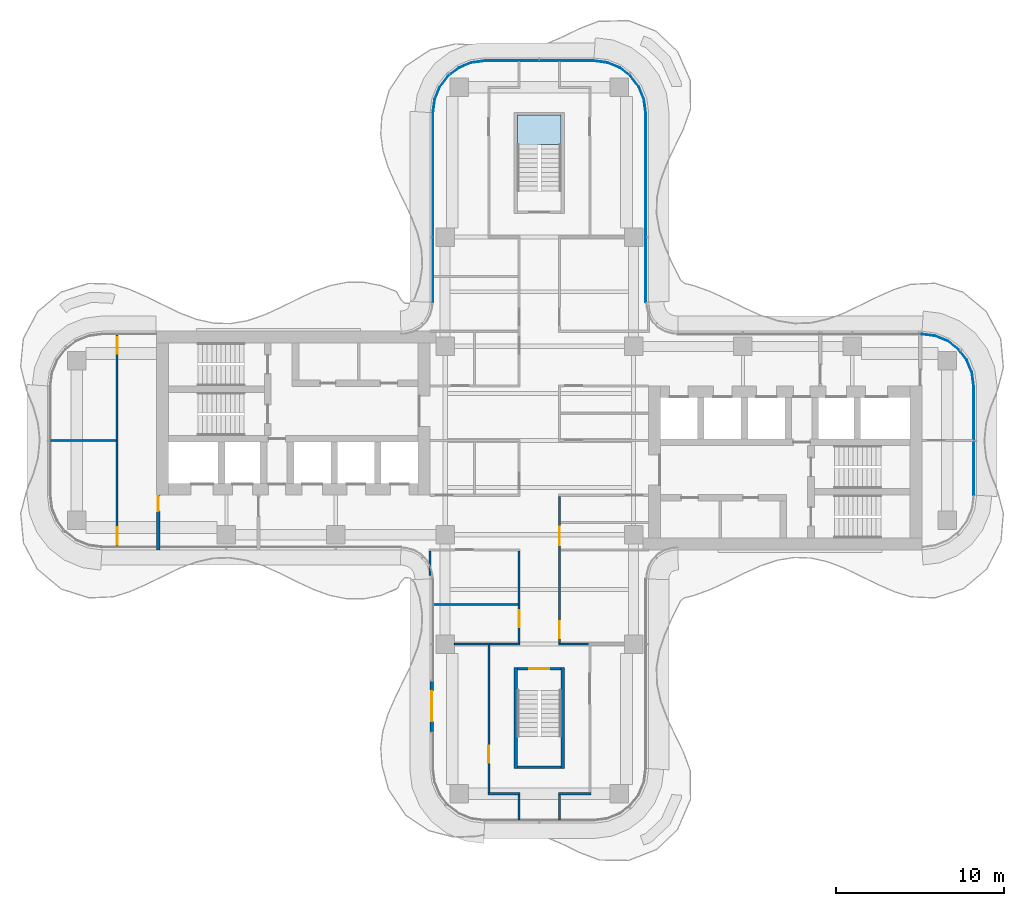
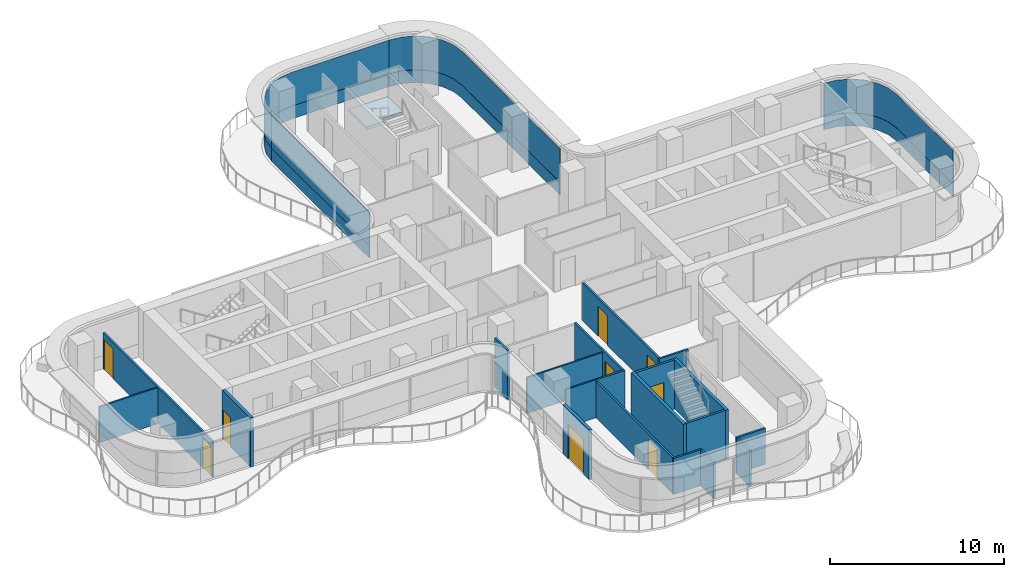
# One storey, part 10 of 16: 20 walls, 9 doors, 8 plates, 1 slab, 9 openings, 5 elements without a shape of their own.
"""IFC4 building model written with IfcOpenShell, lengths in metres."""

from ifc_helpers import new_model, si_unit, direction, frame, frame_2d, origin, place, context, subcontext, project, spatial, polyline, rectangle, outline, extrude, source, transform, mapped, material, layer, layer_set, type_object, element, fill, aggregate, save


model = new_model("IFC4")

# Units and contexts
model_context = context("Model", 3, precision=1e-05, world=origin(), true_north=direction((0.0, 1.0)))
body_context = subcontext(model_context, "Body", "Model", "MODEL_VIEW")
ifc_project = project(units=[si_unit("LENGTHUNIT", "METRE"), si_unit("AREAUNIT", "SQUARE_METRE"), si_unit("VOLUMEUNIT", "CUBIC_METRE"), si_unit("PLANEANGLEUNIT", "RADIAN"), si_unit("MASSUNIT", "GRAM", prefix="KILO")], contexts=[model_context])

# Site, building, storey
site_placement = place(None, origin())
site = spatial("IfcSite", under=ifc_project, at=site_placement, CompositionType="ELEMENT")
building_placement = place(site_placement, origin())
building = spatial("IfcBuilding", under=site, at=building_placement, Name="Trellis Farm Tower", CompositionType="ELEMENT")
storey_placement = place(building_placement, frame((0.0, 0.0, 267.5)))
storey = spatial("IfcBuildingStorey", under=building, at=storey_placement, Name="L60", CompositionType="ELEMENT", Elevation=267.5)

# Curtain wall, plate
ifc_material_1 = material(Name="Aluminium and glass curtain wall", Category="aluminium")
ifc_layer_1 = layer(ifc_material_1, 0.18994140625)
ifc_layer_set_1 = layer_set([ifc_layer_1], Name="RIBBON CURTAIN WALL CW1")
curtain_wall_type = type_object("IfcCurtainWallType", Name="RIBBON CURTAIN WALL CW1", PredefinedType="NOTDEFINED", material=ifc_layer_set_1)
placement_1 = place(storey_placement, origin())
curtain_wall_1 = element("IfcCurtainWall", 1, at=placement_1, inside=storey, type_object=curtain_wall_type, Name="CW1 007", PredefinedType="NOTDEFINED")
ifc_material_2 = material(Name="Clear insulated glass", Category="glass")
ifc_layer_2 = layer(ifc_material_2, 0.0400390625)
ifc_layer_set_2 = layer_set([ifc_layer_2], Name="CW1 GLASS PANEL 40")
plate_type_1 = type_object("IfcPlateType", Name="CW1 GLASS PANEL 40", PredefinedType="CURTAIN_PANEL", material=ifc_layer_set_2)
placement_2 = place(storey_placement, frame((0.0, 0.0, 0.89990234375)))
plate_1 = element("IfcPlate", 2, at=placement_2, type_object=plate_type_1, Name="PL1 007", PredefinedType="CURTAIN_PANEL", context=body_context, shape_type="SweptSolid", body=[
    extrude(outline(polyline([(25.85009765625, -3.240234375), (25.85009765625, 3.240234375), (25.7431640625, 4.052001953125), (25.43359375, 4.79931640625), (24.941162109375, 5.441162109375), (24.29931640625, 5.93359375), (23.552001953125, 6.2431640625), (22.740234375, 6.35009765625), (22.737548828125, 6.31005859375), (23.54150390625, 6.2041015625), (24.279296875, 5.898681640625), (24.91259765625, 5.41259765625), (25.398681640625, 4.779296875), (25.7041015625, 4.04150390625), (25.81005859375, 3.237548828125), (25.81005859375, -3.237548828125), (25.85009765625, -3.240234375)])), origin(), (0.0, 0.0, 1.0), 2.3701171875),
])

# Stair, slab
ifc_material_3 = material(Name="Concrete C50/60", Category="concrete")
stair_type = type_object("IfcStairType", Name="CORE EXIT STAIR 22 RISERS 177 MM", PredefinedType="HALF_TURN_STAIR", material=ifc_material_3)
stair = element("IfcStair", 3, at=placement_1, inside=storey, type_object=stair_type, Name="Exit stair N", PredefinedType="HALF_TURN_STAIR")
ifc_layer_3 = layer(ifc_material_3, 0.18994140625)
ifc_layer_set_3 = layer_set([ifc_layer_3], Name="CORE STAIR LANDING 190 CONCRETE C50/60")
slab_type = type_object("IfcSlabType", Name="CORE STAIR LANDING 190 CONCRETE C50/60", PredefinedType="LANDING", material=ifc_layer_set_3)
shared_shape_1 = source(origin(), body_context, "Body", "SweptSolid", [
    extrude(outline(polyline([(-0.10009765625, 17.27197265625), (-1.300048828125, 17.27197265625), (-1.300048828125, 17.60009765625), (-1.300048828125, 19.35009765625), (1.300048828125, 19.35009765625), (1.300048828125, 17.60009765625), (1.300048828125, 17.590087890625), (0.10009765625, 17.590087890625), (0.10009765625, 17.60009765625), (-0.10009765625, 17.60009765625), (-0.10009765625, 17.27197265625)])), origin(), (0.0, 0.0, 1.0), 0.18994140625),
])
slab_placement = place(storey_placement, frame((0.0, 0.0, 1.760009765625)))
slab = element("IfcSlab", 4, at=slab_placement, type_object=slab_type, Name="STN landing 1", PredefinedType="LANDING", context=body_context, shape_type="MappedRepresentation", body=[
    mapped(shared_shape_1, transform((0.0, 0.0, 0.0))),
])
aggregate(stair, [slab])

# Curtain wall, plate
curtain_wall_2 = element("IfcCurtainWall", 5, at=placement_1, inside=storey, type_object=curtain_wall_type, Name="CW1 009", PredefinedType="NOTDEFINED")
ifc_material_4 = material(Name="Sandstone faced insulated panel", Category="masonry")
ifc_layer_4 = layer(ifc_material_4, 0.050048828125)
ifc_layer_set_4 = layer_set([ifc_layer_4], Name="CW1 STONE SPANDREL PANEL 50")
plate_type_2 = type_object("IfcPlateType", Name="CW1 STONE SPANDREL PANEL 50", PredefinedType="CURTAIN_PANEL", material=ifc_layer_set_4)
shared_shape_2 = source(origin(), body_context, "Body", "SweptSolid", [
    extrude(outline(polyline([(6.35009765625, 8.2265625), (6.35009765625, 19.490234375), (6.2431640625, 20.302001953125), (5.93359375, 21.04931640625), (5.441162109375, 21.691162109375), (4.79931640625, 22.18359375), (4.052001953125, 22.4931640625), (3.240234375, 22.60009765625), (3.23681640625, 22.550048828125), (4.0390625, 22.4443359375), (4.774169921875, 22.139892578125), (5.405517578125, 21.655517578125), (5.889892578125, 21.024169921875), (6.1943359375, 20.2890625), (6.300048828125, 19.48681640625), (6.300048828125, 8.224853515625), (6.35009765625, 8.2265625)])), origin(), (0.0, 0.0, 1.0), 0.89990234375),
])
plate_2 = element("IfcPlate", 6, at=placement_1, type_object=plate_type_2, Name="PS1 009", PredefinedType="CURTAIN_PANEL", context=body_context, shape_type="MappedRepresentation", body=[
    mapped(shared_shape_2, transform((0.0, 0.0, 0.0))),
])

curtain_wall_3 = element("IfcCurtainWall", 7, at=placement_1, inside=storey, type_object=curtain_wall_type, Name="CW1 010", PredefinedType="NOTDEFINED")
shared_shape_3 = source(origin(), body_context, "Body", "SweptSolid", [
    extrude(outline(polyline([(3.240234375, 22.60009765625), (-3.240234375, 22.60009765625), (-4.052001953125, 22.4931640625), (-4.79931640625, 22.18359375), (-5.441162109375, 21.691162109375), (-5.93359375, 21.04931640625), (-6.2431640625, 20.302001953125), (-6.35009765625, 19.490234375), (-6.300048828125, 19.48681640625), (-6.1943359375, 20.2890625), (-5.889892578125, 21.024169921875), (-5.405517578125, 21.655517578125), (-4.774169921875, 22.139892578125), (-4.0390625, 22.4443359375), (-3.23681640625, 22.550048828125), (3.23681640625, 22.550048828125), (3.240234375, 22.60009765625)])), origin(), (0.0, 0.0, 1.0), 0.89990234375),
])
plate_3 = element("IfcPlate", 8, at=placement_1, type_object=plate_type_2, Name="PS1 010", PredefinedType="CURTAIN_PANEL", context=body_context, shape_type="MappedRepresentation", body=[
    mapped(shared_shape_3, transform((0.0, 0.0, 0.0))),
])

curtain_wall_4 = element("IfcCurtainWall", 9, at=placement_1, inside=storey, type_object=curtain_wall_type, Name="CW1 011", PredefinedType="NOTDEFINED")
shared_shape_4 = source(origin(), body_context, "Body", "SweptSolid", [
    extrude(outline(polyline([(-6.35009765625, 19.490234375), (-6.35009765625, 8.2265625), (-6.300048828125, 8.224853515625), (-6.300048828125, 19.48681640625), (-6.35009765625, 19.490234375)])), origin(), (0.0, 0.0, 1.0), 0.89990234375),
])
plate_4 = element("IfcPlate", 10, at=placement_1, type_object=plate_type_2, Name="PS1 011", PredefinedType="CURTAIN_PANEL", context=body_context, shape_type="MappedRepresentation", body=[
    mapped(shared_shape_4, transform((0.0, 0.0, 0.0))),
])

# Plate
shared_shape_5 = source(origin(), body_context, "Body", "SweptSolid", [
    extrude(outline(polyline([(25.85009765625, -3.240234375), (25.85009765625, 3.240234375), (25.7431640625, 4.052001953125), (25.43359375, 4.79931640625), (24.941162109375, 5.441162109375), (24.29931640625, 5.93359375), (23.552001953125, 6.2431640625), (22.740234375, 6.35009765625), (22.73681640625, 6.300048828125), (23.5390625, 6.1943359375), (24.274169921875, 5.889892578125), (24.905517578125, 5.405517578125), (25.389892578125, 4.774169921875), (25.6943359375, 4.0390625), (25.800048828125, 3.23681640625), (25.800048828125, -3.23681640625), (25.85009765625, -3.240234375)])), origin(), (0.0, 0.0, 1.0), 0.89990234375),
])
plate_5 = element("IfcPlate", 11, at=placement_1, type_object=plate_type_2, Name="PS1 007", PredefinedType="CURTAIN_PANEL", context=body_context, shape_type="MappedRepresentation", body=[
    mapped(shared_shape_5, transform((0.0, 0.0, 0.0))),
])

aggregate(curtain_wall_1, [plate_1, plate_5])

shared_shape_6 = source(origin(), body_context, "Body", "SweptSolid", [
    extrude(outline(polyline([(6.35009765625, 8.2265625), (6.35009765625, 19.490234375), (6.2431640625, 20.302001953125), (5.93359375, 21.04931640625), (5.441162109375, 21.691162109375), (4.79931640625, 22.18359375), (4.052001953125, 22.4931640625), (3.240234375, 22.60009765625), (3.237548828125, 22.56005859375), (4.04150390625, 22.4541015625), (4.779296875, 22.148681640625), (5.41259765625, 21.66259765625), (5.898681640625, 21.029296875), (6.2041015625, 20.29150390625), (6.31005859375, 19.487548828125), (6.31005859375, 8.22509765625), (6.35009765625, 8.2265625)])), origin(), (0.0, 0.0, 1.0), 2.3701171875),
])
plate_6 = element("IfcPlate", 12, at=placement_2, type_object=plate_type_1, Name="PL1 009", PredefinedType="CURTAIN_PANEL", context=body_context, shape_type="MappedRepresentation", body=[
    mapped(shared_shape_6, transform((0.0, 0.0, 0.0))),
])

aggregate(curtain_wall_2, [plate_6, plate_2])

shared_shape_7 = source(origin(), body_context, "Body", "SweptSolid", [
    extrude(outline(polyline([(3.240234375, 22.60009765625), (-3.240234375, 22.60009765625), (-4.052001953125, 22.4931640625), (-4.79931640625, 22.18359375), (-5.441162109375, 21.691162109375), (-5.93359375, 21.04931640625), (-6.2431640625, 20.302001953125), (-6.35009765625, 19.490234375), (-6.31005859375, 19.487548828125), (-6.2041015625, 20.29150390625), (-5.898681640625, 21.029296875), (-5.41259765625, 21.66259765625), (-4.779296875, 22.148681640625), (-4.04150390625, 22.4541015625), (-3.237548828125, 22.56005859375), (3.237548828125, 22.56005859375), (3.240234375, 22.60009765625)])), origin(), (0.0, 0.0, 1.0), 2.3701171875),
])
plate_7 = element("IfcPlate", 13, at=placement_2, type_object=plate_type_1, Name="PL1 010", PredefinedType="CURTAIN_PANEL", context=body_context, shape_type="MappedRepresentation", body=[
    mapped(shared_shape_7, transform((0.0, 0.0, 0.0))),
])

aggregate(curtain_wall_3, [plate_7, plate_3])

shared_shape_8 = source(origin(), body_context, "Body", "SweptSolid", [
    extrude(outline(polyline([(-6.35009765625, 19.490234375), (-6.35009765625, 8.2265625), (-6.31005859375, 8.22509765625), (-6.31005859375, 19.487548828125), (-6.35009765625, 19.490234375)])), origin(), (0.0, 0.0, 1.0), 2.3701171875),
])
plate_8 = element("IfcPlate", 14, at=placement_2, type_object=plate_type_1, Name="PL1 011", PredefinedType="CURTAIN_PANEL", context=body_context, shape_type="MappedRepresentation", body=[
    mapped(shared_shape_8, transform((0.0, 0.0, 0.0))),
])

aggregate(curtain_wall_4, [plate_8, plate_4])

# Wall, opening, door
ifc_material_5 = material(Name="Masonry blockwork", Category="masonry")
ifc_layer_5 = layer(ifc_material_5, 0.199951171875)
ifc_layer_set_5 = layer_set([ifc_layer_5], Name="FIRE LOBBY PARTITION 200 BLOCKWORK")
wall_type_1 = type_object("IfcWallType", Name="FIRE LOBBY PARTITION 200 BLOCKWORK", PredefinedType="PARTITIONING", material=ifc_layer_set_5)
shared_shape_9 = source(origin(), body_context, "Body", "SweptSolid", [
    extrude(rectangle(XDim=3.25, YDim=0.199951171875, at=frame_2d((1.625, 0.0))), origin(), (0.0, 0.0, 1.0), 3.449951171875),
])
wall_1_placement = place(storey_placement, frame((-22.64990234375, -3.25, 0.0), z_axis=(0.0, 0.0, 1.0), x_axis=(0.0, -1.0, 0.0)))
wall_1 = element("IfcWall", 15, at=wall_1_placement, inside=storey, type_object=wall_type_1, Name="Fire-fighting lobby partition", PredefinedType="PARTITIONING", context=body_context, shape_type="MappedRepresentation", body=[
    mapped(shared_shape_9, transform((0.0, 0.0, 0.0))),
])
shared_shape_10 = source(origin(), body_context, "Body", "SweptSolid", [
    extrude(rectangle(XDim=0.89990234375, YDim=2.10009765625, at=frame_2d((0.449951171875, 1.050048828125))), frame((0.0, 0.110107421875, 0.0), z_axis=(0.0, -1.0, 0.0), x_axis=(1.0, 0.0, 0.0)), (0.0, 0.0, 1.0), 0.22021484375),
])
opening_1_placement = place(wall_1_placement, frame((0.050048828125, 0.0, 0.0)))
opening_1 = element("IfcOpeningElement", 16, at=opening_1_placement, cuts=wall_1, Name="Opening DC94", PredefinedType="OPENING", context=body_context, shape_type="MappedRepresentation", body=[
    mapped(shared_shape_10, transform((0.0, 0.0, 0.0))),
])
ifc_material_6 = material(Name="Steel", Category="steel")
door_type_1 = type_object("IfcDoorType", Name="CORE FIRE DOOR 900 X 2100", OperationType="NOTDEFINED", PredefinedType="DOOR", material=ifc_material_6)
shared_shape_11 = source(origin(), body_context, "Body", "SweptSolid", [
    extrude(rectangle(XDim=0.89990234375, YDim=2.10009765625, at=frame_2d((0.449951171875, 1.050048828125))), frame((0.0, 0.02490234375, 0.0), z_axis=(0.0, -1.0, 0.0), x_axis=(1.0, 0.0, 0.0)), (0.0, 0.0, 1.0), 0.050048828125),
])
door_1_placement = place(opening_1_placement, origin())
door_1 = element("IfcDoor", 17, at=door_1_placement, inside=storey, type_object=door_type_1, Name="Core door", OperationType="SINGLE_SWING_RIGHT", OverallHeight=2.10009765625, OverallWidth=0.89990234375, PredefinedType="DOOR", context=body_context, shape_type="MappedRepresentation", body=[
    mapped(shared_shape_11, transform((0.0, 0.0, 0.0))),
])
fill(opening_1, door_1)

# Walls
ifc_material_7 = material(Name="Concrete C60/75", Category="concrete")
ifc_layer_6 = layer(ifc_material_7, 0.199951171875)
ifc_layer_set_6 = layer_set([ifc_layer_6], Name="CORE STAIR ENCLOSURE WALL 200 CONCRETE C60/75")
wall_type_2 = type_object("IfcWallType", Name="CORE STAIR ENCLOSURE WALL 200 CONCRETE C60/75", PredefinedType="SHEAR", material=ifc_layer_set_6)
shared_shape_12 = source(origin(), body_context, "Body", "SweptSolid", [
    extrude(rectangle(XDim=6.0, YDim=0.199951171875, at=frame_2d((3.0, 0.0))), origin(), (0.0, 0.0, 1.0), 3.449951171875),
])
for number, where, z_axis, x_axis, name in (
    (18, (1.39990234375, -13.5, 0.0), (0.0, 0.0, 1.0), (0.0, -1.0, 0.0), "Stair enclosure wall"),
    (19, (-1.39990234375, -13.5, 0.0), (0.0, 0.0, 1.0), (0.0, -1.0, 0.0), "Stair enclosure wall"),
):
    element("IfcWall", number, at=place(storey_placement, frame(where, z_axis=z_axis, x_axis=x_axis)), inside=storey, type_object=wall_type_2, Name=name, PredefinedType="SHEAR", context=body_context, shape_type="MappedRepresentation", body=[
        mapped(shared_shape_12, transform((0.0, 0.0, 0.0))),
    ])

# Wall, opening, door
ifc_layer_7 = layer(ifc_material_7, 0.14990234375)
ifc_layer_set_7 = layer_set([ifc_layer_7], Name="CORE STAIR ENCLOSURE WALL 150 CONCRETE C60/75")
wall_type_3 = type_object("IfcWallType", Name="CORE STAIR ENCLOSURE WALL 150 CONCRETE C60/75", PredefinedType="SHEAR", material=ifc_layer_set_7)
shared_shape_13 = source(origin(), body_context, "Body", "SweptSolid", [
    extrude(rectangle(XDim=2.60009765625, YDim=0.14990234375, at=frame_2d((1.300048828125, 0.0))), origin(), (0.0, 0.0, 1.0), 3.449951171875),
])
wall_2_placement = place(storey_placement, frame((1.300048828125, -13.574951171875, 0.0), z_axis=(0.0, 0.0, 1.0), x_axis=(-1.0, 0.0, 0.0)))
wall_2 = element("IfcWall", 20, at=wall_2_placement, inside=storey, type_object=wall_type_3, Name="Stair enclosure wall", PredefinedType="SHEAR", context=body_context, shape_type="MappedRepresentation", body=[
    mapped(shared_shape_13, transform((0.0, 0.0, 0.0))),
])
shared_shape_14 = source(origin(), body_context, "Body", "SweptSolid", [
    extrude(rectangle(XDim=1.199951171875, YDim=2.10009765625, at=frame_2d((0.60009765625, 1.050048828125))), frame((0.0, 0.0849609375, 0.0), z_axis=(0.0, -1.0, 0.0), x_axis=(1.0, 0.0, 0.0)), (0.0, 0.0, 1.0), 0.169921875),
])
opening_2_placement = place(wall_2_placement, frame((0.699951171875, 0.0, 0.0)))
opening_2 = element("IfcOpeningElement", 21, at=opening_2_placement, cuts=wall_2, Name="Opening DC174", PredefinedType="OPENING", context=body_context, shape_type="MappedRepresentation", body=[
    mapped(shared_shape_14, transform((0.0, 0.0, 0.0))),
])
door_type_2 = type_object("IfcDoorType", Name="CORE FIRE DOOR 1200 X 2100", OperationType="NOTDEFINED", PredefinedType="DOOR", material=ifc_material_6)
shared_shape_15 = source(origin(), body_context, "Body", "SweptSolid", [
    extrude(rectangle(XDim=1.199951171875, YDim=2.10009765625, at=frame_2d((0.60009765625, 1.050048828125))), frame((0.0, 0.02490234375, 0.0), z_axis=(0.0, -1.0, 0.0), x_axis=(1.0, 0.0, 0.0)), (0.0, 0.0, 1.0), 0.050048828125),
])
door_2_placement = place(opening_2_placement, origin())
door_2 = element("IfcDoor", 22, at=door_2_placement, inside=storey, type_object=door_type_2, Name="Core door", OperationType="SINGLE_SWING_RIGHT", OverallHeight=2.10009765625, OverallWidth=1.199951171875, PredefinedType="DOOR", context=body_context, shape_type="MappedRepresentation", body=[
    mapped(shared_shape_15, transform((0.0, 0.0, 0.0))),
])
fill(opening_2, door_2)

# Wall
wall_3_placement = place(storey_placement, frame((1.300048828125, -19.425048828125, 0.0), z_axis=(0.0, 0.0, 1.0), x_axis=(-1.0, 0.0, 0.0)))
element("IfcWall", 23, at=wall_3_placement, inside=storey, type_object=wall_type_3, Name="Stair enclosure wall", PredefinedType="SHEAR", context=body_context, shape_type="MappedRepresentation", body=[
    mapped(shared_shape_13, transform((0.0, 0.0, 0.0))),
])

# Wall, opening, door
ifc_material_8 = material(Name="Sandstone faced insulated wall", Category="masonry")
ifc_layer_8 = layer(ifc_material_8, 0.199951171875)
ifc_layer_set_8 = layer_set([ifc_layer_8], Name="EXTERNAL INFILL WALL 200")
wall_type_4 = type_object("IfcWallType", Name="EXTERNAL INFILL WALL 200", PredefinedType="SOLIDWALL", material=ifc_layer_set_8)
shared_shape_16 = source(origin(), body_context, "Body", "SweptSolid", [
    extrude(rectangle(XDim=3.0, YDim=0.199951171875, at=frame_2d((1.5, 0.0))), origin(), (0.0, 0.0, 1.0), 3.449951171875),
])
wall_4_placement = place(storey_placement, frame((-6.39990234375, -14.300048828125, 0.0), z_axis=(0.0, 0.0, 1.0), x_axis=(0.0, -1.0, 0.0)))
wall_4 = element("IfcWall", 24, at=wall_4_placement, inside=storey, type_object=wall_type_4, Name="EW1 01", PredefinedType="SOLIDWALL", context=body_context, shape_type="MappedRepresentation", body=[
    mapped(shared_shape_16, transform((0.0, 0.0, 0.0))),
])
shared_shape_17 = source(origin(), body_context, "Body", "SweptSolid", [
    extrude(rectangle(XDim=1.800048828125, YDim=2.39990234375, at=frame_2d((0.89990234375, 1.199951171875))), frame((0.0, 0.110107421875, 0.0), z_axis=(0.0, -1.0, 0.0), x_axis=(1.0, 0.0, 0.0)), (0.0, 0.0, 1.0), 0.22021484375),
])
opening_3_placement = place(wall_4_placement, frame((0.60009765625, 0.0, 0.0)))
opening_3 = element("IfcOpeningElement", 25, at=opening_3_placement, cuts=wall_4, Name="Opening ED1", PredefinedType="OPENING", context=body_context, shape_type="MappedRepresentation", body=[
    mapped(shared_shape_17, transform((0.0, 0.0, 0.0))),
])
ifc_material_9 = material(Name="Aluminium framed glazed door", Category="aluminium")
door_type_3 = type_object("IfcDoorType", Name="BALCONY DOOR 1800x2400", OperationType="DOUBLE_DOOR_SINGLE_SWING", PredefinedType="DOOR", material=ifc_material_9)
shared_shape_18 = source(origin(), body_context, "Body", "SweptSolid", [
    extrude(rectangle(XDim=1.800048828125, YDim=2.39990234375, at=frame_2d((0.89990234375, 1.199951171875))), frame((0.0, 0.02490234375, 0.0), z_axis=(0.0, -1.0, 0.0), x_axis=(1.0, 0.0, 0.0)), (0.0, 0.0, 1.0), 0.050048828125),
])
door_3_placement = place(opening_3_placement, origin())
door_3 = element("IfcDoor", 26, at=door_3_placement, inside=storey, type_object=door_type_3, Name="Balcony door", OperationType="DOUBLE_DOOR_SINGLE_SWING", OverallHeight=2.39990234375, OverallWidth=1.800048828125, PredefinedType="DOOR", context=body_context, shape_type="MappedRepresentation", body=[
    mapped(shared_shape_18, transform((0.0, 0.0, 0.0))),
])
fill(opening_3, door_3)

ifc_material_10 = material(Name="Plasterboard on steel studs, mineral wool", Category="steel")
ifc_layer_9 = layer(ifc_material_10, 0.125)
ifc_layer_set_9 = layer_set([ifc_layer_9], Name="PARTITION 125 STUD EI 60")
wall_type_5 = type_object("IfcWallType", Name="PARTITION 125 STUD EI 60", PredefinedType="PARTITIONING", material=ifc_layer_set_9)
shared_shape_19 = source(origin(), body_context, "Body", "SweptSolid", [
    extrude(rectangle(XDim=5.47509765625, YDim=0.125, at=frame_2d((2.737548828125, 0.0))), origin(), (0.0, 0.0, 1.0), 2.667724609375),
])
wall_5_placement = place(storey_placement, frame((-1.199951171875, -6.5625, 0.0), z_axis=(0.0, 0.0, 1.0), x_axis=(0.0, -1.0, 0.0)))
wall_5 = element("IfcWall", 27, at=wall_5_placement, inside=storey, type_object=wall_type_5, Name="Partition PW1", PredefinedType="PARTITIONING", context=body_context, shape_type="MappedRepresentation", body=[
    mapped(shared_shape_19, transform((0.0, 0.0, 0.0))),
])
shared_shape_20 = source(origin(), body_context, "Body", "SweptSolid", [
    extrude(rectangle(XDim=1.0, YDim=2.10009765625, at=frame_2d((0.5, 1.050048828125))), frame((0.0, 0.072509765625, 0.0), z_axis=(0.0, -1.0, 0.0), x_axis=(1.0, 0.0, 0.0)), (0.0, 0.0, 1.0), 0.14501953125),
])
opening_4_placement = place(wall_5_placement, frame((3.53759765625, 0.0, 0.0)))
opening_4 = element("IfcOpeningElement", 28, at=opening_4_placement, cuts=wall_5, Name="Opening D103", PredefinedType="OPENING", context=body_context, shape_type="MappedRepresentation", body=[
    mapped(shared_shape_20, transform((0.0, 0.0, 0.0))),
])
ifc_material_11 = material(Name="Fire-rated timber door leaf in a hollow metal frame", Category="wood")
door_type_4 = type_object("IfcDoorType", Name="DOOR 1000x2100 FD30S", OperationType="NOTDEFINED", PredefinedType="DOOR", material=ifc_material_11)
shared_shape_21 = source(origin(), body_context, "Body", "SweptSolid", [
    extrude(rectangle(XDim=1.0, YDim=2.10009765625, at=frame_2d((0.5, 1.050048828125))), frame((0.0, 0.02490234375, 0.0), z_axis=(0.0, -1.0, 0.0), x_axis=(1.0, 0.0, 0.0)), (0.0, 0.0, 1.0), 0.050048828125),
])
door_4_placement = place(opening_4_placement, origin())
door_4 = element("IfcDoor", 29, at=door_4_placement, inside=storey, type_object=door_type_4, Name="Door D103", OperationType="SINGLE_SWING_LEFT", OverallHeight=2.10009765625, OverallWidth=1.0, PredefinedType="DOOR", context=body_context, shape_type="MappedRepresentation", body=[
    mapped(shared_shape_21, transform((0.0, 0.0, 0.0))),
])
fill(opening_4, door_4)

# Wall
shared_shape_22 = source(origin(), body_context, "Body", "SweptSolid", [
    extrude(rectangle(XDim=1.468994140625, YDim=0.125, at=frame_2d((0.734375, 0.0))), origin(), (0.0, 0.0, 1.0), 3.449951171875),
])
wall_6_placement = place(storey_placement, frame((-6.5, -6.5625, 0.0), z_axis=(0.0, 0.0, 1.0), x_axis=(0.0, -1.0, 0.0)))
element("IfcWall", 30, at=wall_6_placement, inside=storey, type_object=wall_type_5, Name="Partition PW1", PredefinedType="PARTITIONING", context=body_context, shape_type="MappedRepresentation", body=[
    mapped(shared_shape_22, transform((0.0, 0.0, 0.0))),
])

# Wall, openings, doors
shared_shape_23 = source(origin(), body_context, "Body", "SweptSolid", [
    extrude(rectangle(XDim=12.60009765625, YDim=0.125, at=frame_2d((6.300048828125, 0.0))), origin(), (0.0, 0.0, 1.0), 2.530029296875),
])
wall_7_placement = place(storey_placement, frame((-25.10009765625, -6.300048828125, 0.0), z_axis=(0.0, 0.0, 1.0), x_axis=(0.0, 1.0, 0.0)))
wall_7 = element("IfcWall", 31, at=wall_7_placement, inside=storey, type_object=wall_type_5, Name="Partition PW1", PredefinedType="PARTITIONING", context=body_context, shape_type="MappedRepresentation", body=[
    mapped(shared_shape_23, transform((0.0, 0.0, 0.0))),
])
opening_5_placement = place(wall_7_placement, frame((0.14990234375, 0.0, 0.0)))
opening_5 = element("IfcOpeningElement", 32, at=opening_5_placement, cuts=wall_7, Name="Opening D105", PredefinedType="OPENING", context=body_context, shape_type="MappedRepresentation", body=[
    mapped(shared_shape_20, transform((0.0, 0.0, 0.0))),
])
opening_6_placement = place(wall_7_placement, frame((11.449951171875, 0.0, 0.0)))
opening_6 = element("IfcOpeningElement", 33, at=opening_6_placement, cuts=wall_7, Name="Opening D113", PredefinedType="OPENING", context=body_context, shape_type="MappedRepresentation", body=[
    mapped(shared_shape_20, transform((0.0, 0.0, 0.0))),
])
door_5_placement = place(opening_5_placement, origin())
door_5 = element("IfcDoor", 34, at=door_5_placement, inside=storey, type_object=door_type_4, Name="Door D105", OperationType="SINGLE_SWING_LEFT", OverallHeight=2.10009765625, OverallWidth=1.0, PredefinedType="DOOR", context=body_context, shape_type="MappedRepresentation", body=[
    mapped(shared_shape_21, transform((0.0, 0.0, 0.0))),
])
fill(opening_5, door_5)
door_6_placement = place(opening_6_placement, origin())
door_6 = element("IfcDoor", 35, at=door_6_placement, inside=storey, type_object=door_type_4, Name="Door D113", OperationType="SINGLE_SWING_RIGHT", OverallHeight=2.10009765625, OverallWidth=1.0, PredefinedType="DOOR", context=body_context, shape_type="MappedRepresentation", body=[
    mapped(shared_shape_21, transform((0.0, 0.0, 0.0))),
])
fill(opening_6, door_6)

# Wall, opening, door
shared_shape_24 = source(origin(), body_context, "Body", "SweptSolid", [
    extrude(rectangle(XDim=8.78759765625, YDim=0.125, at=frame_2d((4.393798828125, 0.0))), origin(), (0.0, 0.0, 1.0), 2.530029296875),
])
wall_8_placement = place(storey_placement, frame((-3.0, -20.9375, 0.0), z_axis=(0.0, 0.0, 1.0), x_axis=(0.0, 1.0, 0.0)))
wall_8 = element("IfcWall", 36, at=wall_8_placement, inside=storey, type_object=wall_type_5, Name="Partition PW1", PredefinedType="PARTITIONING", context=body_context, shape_type="MappedRepresentation", body=[
    mapped(shared_shape_24, transform((0.0, 0.0, 0.0))),
])
opening_7_placement = place(wall_8_placement, frame((1.78759765625, 0.0, 0.0)))
opening_7 = element("IfcOpeningElement", 37, at=opening_7_placement, cuts=wall_8, Name="Opening D101", PredefinedType="OPENING", context=body_context, shape_type="MappedRepresentation", body=[
    mapped(shared_shape_20, transform((0.0, 0.0, 0.0))),
])
door_7_placement = place(opening_7_placement, origin())
door_7 = element("IfcDoor", 38, at=door_7_placement, inside=storey, type_object=door_type_4, Name="Door D101", OperationType="SINGLE_SWING_LEFT", OverallHeight=2.10009765625, OverallWidth=1.0, PredefinedType="DOOR", context=body_context, shape_type="MappedRepresentation", body=[
    mapped(shared_shape_21, transform((0.0, 0.0, 0.0))),
])
fill(opening_7, door_7)

# Walls
shared_shape_25 = source(origin(), body_context, "Body", "SweptSolid", [
    extrude(rectangle(XDim=1.487548828125, YDim=0.125, at=frame_2d((0.74365234375, 0.0))), origin(), (0.0, 0.0, 1.0), 2.530029296875),
])
for number, where, z_axis, x_axis, name in (
    (39, (-1.199951171875, -21.0625, 0.0), (0.0, 0.0, 1.0), (0.0, -1.0, 0.0), "Partition PW1"),
    (40, (1.199951171875, -21.0625, 0.0), (0.0, 0.0, 1.0), (0.0, -1.0, 0.0), "Partition PW1"),
):
    element("IfcWall", number, at=place(storey_placement, frame(where, z_axis=z_axis, x_axis=x_axis)), inside=storey, type_object=wall_type_5, Name=name, PredefinedType="PARTITIONING", context=body_context, shape_type="MappedRepresentation", body=[
        mapped(shared_shape_25, transform((0.0, 0.0, 0.0))),
    ])

# Wall, openings, doors
shared_shape_26 = source(origin(), body_context, "Body", "SweptSolid", [
    extrude(rectangle(XDim=8.72509765625, YDim=0.125, at=frame_2d((4.362548828125, 0.0))), origin(), (0.0, 0.0, 1.0), 2.667724609375),
])
wall_9_placement = place(storey_placement, frame((1.199951171875, -3.3125, 0.0), z_axis=(0.0, 0.0, 1.0), x_axis=(0.0, -1.0, 0.0)))
wall_9 = element("IfcWall", 41, at=wall_9_placement, inside=storey, type_object=wall_type_5, Name="Partition PW1", PredefinedType="PARTITIONING", context=body_context, shape_type="MappedRepresentation", body=[
    mapped(shared_shape_26, transform((0.0, 0.0, 0.0))),
])
opening_8_placement = place(wall_9_placement, frame((7.4375, 0.0, 0.0)))
opening_8 = element("IfcOpeningElement", 42, at=opening_8_placement, cuts=wall_9, Name="Opening D102", PredefinedType="OPENING", context=body_context, shape_type="MappedRepresentation", body=[
    mapped(shared_shape_20, transform((0.0, 0.0, 0.0))),
])
shared_shape_27 = source(origin(), body_context, "Body", "SweptSolid", [
    extrude(rectangle(XDim=1.10009765625, YDim=2.10009765625, at=frame_2d((0.550048828125, 1.050048828125))), frame((0.0, 0.072509765625, 0.0), z_axis=(0.0, -1.0, 0.0), x_axis=(1.0, 0.0, 0.0)), (0.0, 0.0, 1.0), 0.14501953125),
])
opening_9_placement = place(wall_9_placement, frame((1.8125, 0.0, 0.0)))
opening_9 = element("IfcOpeningElement", 43, at=opening_9_placement, cuts=wall_9, Name="Opening D501", PredefinedType="OPENING", context=body_context, shape_type="MappedRepresentation", body=[
    mapped(shared_shape_27, transform((0.0, 0.0, 0.0))),
])
door_type_5 = type_object("IfcDoorType", Name="DOOR 1100x2100 FD30S", OperationType="NOTDEFINED", PredefinedType="DOOR", material=ifc_material_11)
shared_shape_28 = source(origin(), body_context, "Body", "SweptSolid", [
    extrude(rectangle(XDim=1.10009765625, YDim=2.10009765625, at=frame_2d((0.550048828125, 1.050048828125))), frame((0.0, 0.02490234375, 0.0), z_axis=(0.0, -1.0, 0.0), x_axis=(1.0, 0.0, 0.0)), (0.0, 0.0, 1.0), 0.050048828125),
])
door_8_placement = place(opening_9_placement, origin())
door_8 = element("IfcDoor", 44, at=door_8_placement, inside=storey, type_object=door_type_5, Name="Door D501", OperationType="SINGLE_SWING_LEFT", OverallHeight=2.10009765625, OverallWidth=1.10009765625, PredefinedType="DOOR", context=body_context, shape_type="MappedRepresentation", body=[
    mapped(shared_shape_28, transform((0.0, 0.0, 0.0))),
])
fill(opening_9, door_8)
door_9_placement = place(opening_8_placement, origin())
door_9 = element("IfcDoor", 45, at=door_9_placement, inside=storey, type_object=door_type_4, Name="Door D102", OperationType="SINGLE_SWING_RIGHT", OverallHeight=2.10009765625, OverallWidth=1.0, PredefinedType="DOOR", context=body_context, shape_type="MappedRepresentation", body=[
    mapped(shared_shape_21, transform((0.0, 0.0, 0.0))),
])
fill(opening_8, door_9)

# Walls
shared_shape_29 = source(origin(), body_context, "Body", "SweptSolid", [
    extrude(rectangle(XDim=1.925048828125, YDim=0.125, at=frame_2d((0.96240234375, 0.0))), origin(), (0.0, 0.0, 1.0), 2.530029296875),
])
for number, where, z_axis, x_axis, name in (
    (46, (-1.137451171875, -21.0, 0.0), (0.0, 0.0, 1.0), (-1.0, 0.0, 0.0), "Partition PW1"),
    (47, (3.0625, -21.0, 0.0), (0.0, 0.0, 1.0), (-1.0, 0.0, 0.0), "Partition PW1"),
):
    element("IfcWall", number, at=place(storey_placement, frame(where, z_axis=z_axis, x_axis=x_axis)), inside=storey, type_object=wall_type_5, Name=name, PredefinedType="PARTITIONING", context=body_context, shape_type="MappedRepresentation", body=[
        mapped(shared_shape_29, transform((0.0, 0.0, 0.0))),
    ])
ifc_material_12 = material(Name="Plasterboard on steel studs", Category="steel")
ifc_layer_10 = layer(ifc_material_12, 0.10009765625)
ifc_layer_set_10 = layer_set([ifc_layer_10], Name="PARTITION 100 STUD EI 30")
wall_type_6 = type_object("IfcWallType", Name="PARTITION 100 STUD EI 30", PredefinedType="PARTITIONING", material=ifc_layer_set_10)
shared_shape_30 = source(origin(), body_context, "Body", "SweptSolid", [
    extrude(rectangle(XDim=2.112548828125, YDim=0.10009765625, at=frame_2d((1.05615234375, 0.0))), origin(), (0.0, 0.0, 1.0), 2.667724609375),
])
wall_10_placement = place(storey_placement, frame((-5.050048828125, -12.10009765625, 0.0), z_axis=(0.0, 0.0, 1.0), x_axis=(1.0, 0.0, 0.0)))
element("IfcWall", 48, at=wall_10_placement, inside=storey, type_object=wall_type_6, Name="Partition PW2", PredefinedType="PARTITIONING", context=body_context, shape_type="MappedRepresentation", body=[
    mapped(shared_shape_30, transform((0.0, 0.0, 0.0))),
])
shared_shape_31 = source(origin(), body_context, "Body", "SweptSolid", [
    extrude(rectangle(XDim=1.925048828125, YDim=0.125, at=frame_2d((0.96240234375, 0.0))), origin(), (0.0, 0.0, 1.0), 2.667724609375),
])
for number, where, z_axis, x_axis, name in (
    (49, (-3.0625, -12.10009765625, 0.0), (0.0, 0.0, 1.0), (1.0, 0.0, 0.0), "Partition PW1"),
    (50, (1.137451171875, -12.10009765625, 0.0), (0.0, 0.0, 1.0), (1.0, 0.0, 0.0), "Partition PW1"),
):
    element("IfcWall", number, at=place(storey_placement, frame(where, z_axis=z_axis, x_axis=x_axis)), inside=storey, type_object=wall_type_5, Name=name, PredefinedType="PARTITIONING", context=body_context, shape_type="MappedRepresentation", body=[
        mapped(shared_shape_31, transform((0.0, 0.0, 0.0))),
    ])
shared_shape_32 = source(origin(), body_context, "Body", "SweptSolid", [
    extrude(rectangle(XDim=3.887451171875, YDim=0.10009765625, at=frame_2d((1.94384765625, 0.0))), origin(), (0.0, 0.0, 1.0), 2.530029296875),
])
wall_11_placement = place(storey_placement, frame((-29.050048828125, 0.0, 0.0), z_axis=(0.0, 0.0, 1.0), x_axis=(1.0, 0.0, 0.0)))
element("IfcWall", 51, at=wall_11_placement, inside=storey, type_object=wall_type_6, Name="Partition PW2", PredefinedType="PARTITIONING", context=body_context, shape_type="MappedRepresentation", body=[
    mapped(shared_shape_32, transform((0.0, 0.0, 0.0))),
])
shared_shape_33 = source(origin(), body_context, "Body", "SweptSolid", [
    extrude(rectangle(XDim=5.03759765625, YDim=0.10009765625, at=frame_2d((2.518798828125, 0.0))), origin(), (0.0, 0.0, 1.0), 2.530029296875),
])
wall_12_placement = place(storey_placement, frame((-6.300048828125, -9.75, 0.0), z_axis=(0.0, 0.0, 1.0), x_axis=(1.0, 0.0, 0.0)))
element("IfcWall", 52, at=wall_12_placement, inside=storey, type_object=wall_type_6, Name="Partition PW2", PredefinedType="PARTITIONING", context=body_context, shape_type="MappedRepresentation", body=[
    mapped(shared_shape_33, transform((0.0, 0.0, 0.0))),
])

save(model, "model.ifc")
